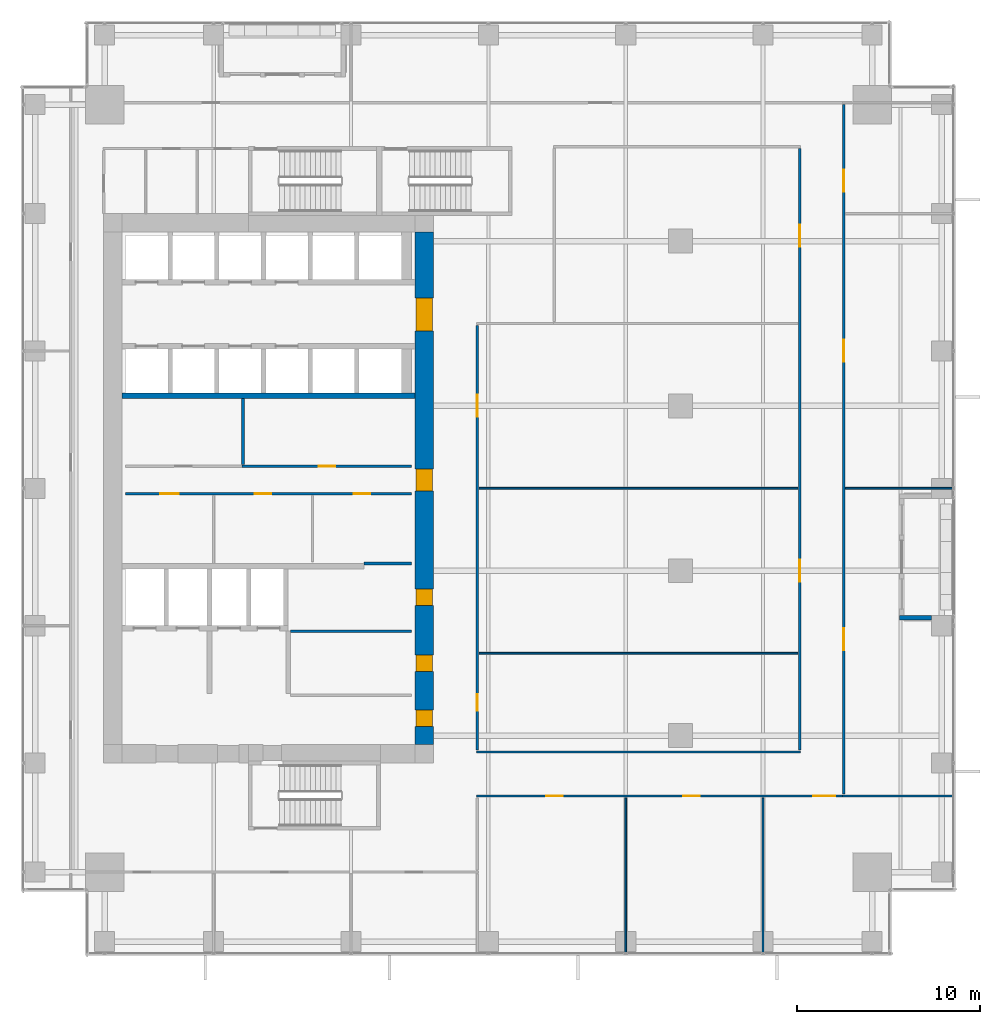
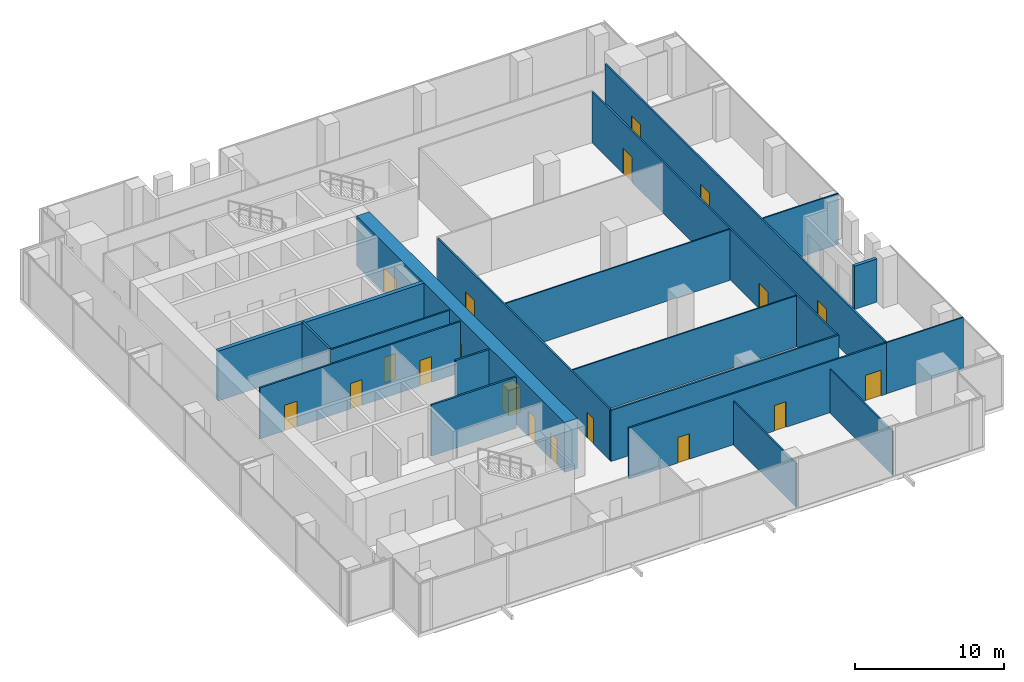
# One storey, part 29 of 34: 19 doors, 19 walls, 19 openings.
"""IFC4 building model written with IfcOpenShell, lengths in metres."""

from ifc_helpers import new_model, si_unit, direction, frame, frame_2d, origin, place, context, subcontext, project, spatial, rectangle, extrude, source, transform, mapped, material, layer, layer_set, type_object, element, fill, save


model = new_model("IFC4")

# Units and contexts
model_context = context("Model", 3, precision=1e-05, world=origin(), true_north=direction((0.0, 1.0)))
body_context = subcontext(model_context, "Body", "Model", "MODEL_VIEW")
ifc_project = project(units=[si_unit("LENGTHUNIT", "METRE"), si_unit("AREAUNIT", "SQUARE_METRE"), si_unit("VOLUMEUNIT", "CUBIC_METRE"), si_unit("PLANEANGLEUNIT", "RADIAN"), si_unit("MASSUNIT", "GRAM", prefix="KILO")], contexts=[model_context])

# Site, building, storey
site_placement = place(None, origin())
site = spatial("IfcSite", under=ifc_project, at=site_placement, CompositionType="ELEMENT")
building_placement = place(site_placement, origin())
building = spatial("IfcBuilding", under=site, at=building_placement, Name="Khomas Fold Tower", CompositionType="ELEMENT")
storey_placement = place(building_placement, frame((0.0, 0.0, 110.300048828125)))
storey = spatial("IfcBuildingStorey", under=building, at=storey_placement, Name="L23", CompositionType="ELEMENT", Elevation=110.300048828125)

# Wall, openings, doors
ifc_material_1 = material(Name="Concrete C70/85", Category="concrete")
ifc_layer_1 = layer(ifc_material_1, 1.0)
ifc_layer_set_1 = layer_set([ifc_layer_1], Name="Concrete C70/85")
wall_type_1 = type_object("IfcWallType", Name="Core wall 1000", PredefinedType="SHEAR", material=ifc_layer_set_1)
shared_shape_1 = source(origin(), body_context, "Body", "SweptSolid", [
    extrude(rectangle(XDim=28.0, YDim=1.0, at=frame_2d((14.0, 0.0))), origin(), (0.0, 0.0, 1.0), 4.099853515625),
])
wall_1_placement = place(storey_placement, frame((23.5, 13.0, 0.0), z_axis=(0.0, 0.0, 1.0), x_axis=(0.0, 1.0, 0.0)))
wall_1 = element("IfcWall", 1, at=wall_1_placement, inside=storey, type_object=wall_type_1, Name="Core wall CW-L-E-L21", PredefinedType="SHEAR", context=body_context, shape_type="MappedRepresentation", body=[
    mapped(shared_shape_1, transform((0.0, 0.0, 0.0))),
])
shared_shape_2 = source(origin(), body_context, "Body", "SweptSolid", [
    extrude(rectangle(XDim=1.800048828125, YDim=2.10009765625, at=frame_2d((0.89990234375, 1.050048828125))), frame((0.0, 0.510009765625, 0.0), z_axis=(0.0, -1.0, 0.0), x_axis=(1.0, 0.0, 0.0)), (0.0, 0.0, 1.0), 1.02001953125),
])
opening_1_placement = place(wall_1_placement, frame((22.60009765625, 0.0, 0.0)))
opening_1 = element("IfcOpeningElement", 2, at=opening_1_placement, cuts=wall_1, Name="Opening 0015", PredefinedType="OPENING", context=body_context, shape_type="MappedRepresentation", body=[
    mapped(shared_shape_2, transform((0.0, 0.0, 0.0))),
])
shared_shape_3 = source(origin(), body_context, "Body", "SweptSolid", [
    extrude(rectangle(XDim=1.199951171875, YDim=2.10009765625, at=frame_2d((0.60009765625, 1.050048828125))), frame((0.0, 0.510009765625, 0.0), z_axis=(0.0, -1.0, 0.0), x_axis=(1.0, 0.0, 0.0)), (0.0, 0.0, 1.0), 1.02001953125),
])
opening_2_placement = place(wall_1_placement, frame((13.85009765625, 0.0, 0.0)))
opening_2 = element("IfcOpeningElement", 3, at=opening_2_placement, cuts=wall_1, Name="Opening 0001", PredefinedType="OPENING", context=body_context, shape_type="MappedRepresentation", body=[
    mapped(shared_shape_3, transform((0.0, 0.0, 0.0))),
])
shared_shape_4 = source(origin(), body_context, "Body", "SweptSolid", [
    extrude(rectangle(XDim=0.89990234375, YDim=2.10009765625, at=frame_2d((0.449951171875, 1.050048828125))), frame((0.0, 0.510009765625, 0.0), z_axis=(0.0, -1.0, 0.0), x_axis=(1.0, 0.0, 0.0)), (0.0, 0.0, 1.0), 1.02001953125),
])
opening_3_placement = place(wall_1_placement, frame((1.0, 0.0, 0.0)))
opening_3 = element("IfcOpeningElement", 4, at=opening_3_placement, cuts=wall_1, Name="Opening 0008", PredefinedType="OPENING", context=body_context, shape_type="MappedRepresentation", body=[
    mapped(shared_shape_4, transform((0.0, 0.0, 0.0))),
])
opening_4_placement = place(wall_1_placement, frame((4.0, 0.0, 0.0)))
opening_4 = element("IfcOpeningElement", 5, at=opening_4_placement, cuts=wall_1, Name="Opening 0003", PredefinedType="OPENING", context=body_context, shape_type="MappedRepresentation", body=[
    mapped(shared_shape_4, transform((0.0, 0.0, 0.0))),
])
opening_5_placement = place(wall_1_placement, frame((7.60009765625, 0.0, 0.0)))
opening_5 = element("IfcOpeningElement", 6, at=opening_5_placement, cuts=wall_1, Name="Opening 0003", PredefinedType="OPENING", context=body_context, shape_type="MappedRepresentation", body=[
    mapped(shared_shape_4, transform((0.0, 0.0, 0.0))),
])
ifc_material_2 = material(Name="Steel door leaf", Category="steel")
door_type_1 = type_object("IfcDoorType", Name="Lobby door 1800x2100", OperationType="DOUBLE_DOOR_SINGLE_SWING", PredefinedType="DOOR", material=ifc_material_2)
shared_shape_5 = source(origin(), body_context, "Body", "SweptSolid", [
    extrude(rectangle(XDim=1.800048828125, YDim=2.10009765625, at=frame_2d((0.89990234375, 1.050048828125))), frame((0.0, 0.449951171875, 0.0), z_axis=(0.0, -1.0, 0.0), x_axis=(1.0, 0.0, 0.0)), (0.0, 0.0, 1.0), 0.89990234375),
])
door_1_placement = place(opening_1_placement, origin())
door_1 = element("IfcDoor", 7, at=door_1_placement, inside=storey, type_object=door_type_1, Name="Lobby door", OperationType="DOUBLE_DOOR_SINGLE_SWING", OverallHeight=2.10009765625, OverallWidth=1.800048828125, PredefinedType="DOOR", context=body_context, shape_type="MappedRepresentation", body=[
    mapped(shared_shape_5, transform((0.0, 0.0, 0.0))),
])
fill(opening_1, door_1)
ifc_material_3 = material(Name="Timber door leaf", Category="wood")
door_type_2 = type_object("IfcDoorType", Name="Door 1200x2100 right-hand", OperationType="SINGLE_SWING_RIGHT", PredefinedType="DOOR", material=ifc_material_3)
shared_shape_6 = source(origin(), body_context, "Body", "SweptSolid", [
    extrude(rectangle(XDim=1.199951171875, YDim=2.10009765625, at=frame_2d((0.60009765625, 1.050048828125))), frame((0.0, 0.449951171875, 0.0), z_axis=(0.0, -1.0, 0.0), x_axis=(1.0, 0.0, 0.0)), (0.0, 0.0, 1.0), 0.89990234375),
])
door_2_placement = place(opening_2_placement, origin())
door_2 = element("IfcDoor", 8, at=door_2_placement, inside=storey, type_object=door_type_2, Name="Door", OperationType="SINGLE_SWING_RIGHT", OverallHeight=2.10009765625, OverallWidth=1.199951171875, PredefinedType="DOOR", context=body_context, shape_type="MappedRepresentation", body=[
    mapped(shared_shape_6, transform((0.0, 0.0, 0.0))),
])
fill(opening_2, door_2)
ifc_material_4 = material(Name="Timber door leaf", Category="wood")
door_type_3 = type_object("IfcDoorType", Name="Door 900x2100 right-hand", OperationType="SINGLE_SWING_RIGHT", PredefinedType="DOOR", material=ifc_material_4)
shared_shape_7 = source(origin(), body_context, "Body", "SweptSolid", [
    extrude(rectangle(XDim=0.89990234375, YDim=2.10009765625, at=frame_2d((0.449951171875, 1.050048828125))), frame((0.0, 0.449951171875, 0.0), z_axis=(0.0, -1.0, 0.0), x_axis=(1.0, 0.0, 0.0)), (0.0, 0.0, 1.0), 0.89990234375),
])
door_3_placement = place(opening_3_placement, origin())
door_3 = element("IfcDoor", 9, at=door_3_placement, inside=storey, type_object=door_type_3, Name="Door", OperationType="SINGLE_SWING_RIGHT", OverallHeight=2.10009765625, OverallWidth=0.89990234375, PredefinedType="DOOR", context=body_context, shape_type="MappedRepresentation", body=[
    mapped(shared_shape_7, transform((0.0, 0.0, 0.0))),
])
fill(opening_3, door_3)
ifc_material_5 = material(Name="Steel door leaf", Category="steel")
door_type_4 = type_object("IfcDoorType", Name="Plant room door 900x2100 right-hand", OperationType="SINGLE_SWING_RIGHT", PredefinedType="DOOR", material=ifc_material_5)
door_4_placement = place(opening_4_placement, origin())
door_4 = element("IfcDoor", 10, at=door_4_placement, inside=storey, type_object=door_type_4, Name="Plant room door", OperationType="SINGLE_SWING_RIGHT", OverallHeight=2.10009765625, OverallWidth=0.89990234375, PredefinedType="DOOR", context=body_context, shape_type="MappedRepresentation", body=[
    mapped(shared_shape_7, transform((0.0, 0.0, 0.0))),
])
fill(opening_4, door_4)
door_5_placement = place(opening_5_placement, origin())
door_5 = element("IfcDoor", 11, at=door_5_placement, inside=storey, type_object=door_type_4, Name="Plant room door", OperationType="SINGLE_SWING_RIGHT", OverallHeight=2.10009765625, OverallWidth=0.89990234375, PredefinedType="DOOR", context=body_context, shape_type="MappedRepresentation", body=[
    mapped(shared_shape_7, transform((0.0, 0.0, 0.0))),
])
fill(opening_5, door_5)

# Walls
ifc_material_6 = material(Name="Concrete C50/60", Category="concrete")
ifc_layer_2 = layer(ifc_material_6, 0.300048828125)
ifc_layer_set_2 = layer_set([ifc_layer_2], Name="Concrete C50/60")
wall_type_2 = type_object("IfcWallType", Name="Shaft wall 300", PredefinedType="STANDARD", material=ifc_layer_set_2)
shared_shape_8 = source(origin(), body_context, "Body", "SweptSolid", [
    extrude(rectangle(XDim=16.0, YDim=0.300048828125, at=frame_2d((8.0, 0.0))), origin(), (0.0, 0.0, 1.0), 4.099853515625),
])
wall_2_placement = place(storey_placement, frame((7.0, 32.050048828125, 0.0), z_axis=(0.0, 0.0, 1.0), x_axis=(1.0, 0.0, 0.0)))
element("IfcWall", 12, at=wall_2_placement, inside=storey, type_object=wall_type_2, Name="Core wall SW-HRN-B", PredefinedType="STANDARD", context=body_context, shape_type="MappedRepresentation", body=[
    mapped(shared_shape_8, transform((0.0, 0.0, 0.0))),
])
ifc_material_7 = material(Name="Natural stone", Category="masonry")
ifc_layer_3 = layer(ifc_material_7, 0.0400390625)
ifc_material_8 = material(Name="Mineral wool insulation", Category="insulation")
ifc_layer_4 = layer(ifc_material_8, 0.10009765625)
ifc_material_9 = material(Name="Masonry", Category="masonry")
ifc_layer_5 = layer(ifc_material_9, 0.110107421875)
ifc_layer_set_3 = layer_set([ifc_layer_3, ifc_layer_4, ifc_layer_5], Name="Stone-faced insulated masonry")
wall_type_3 = type_object("IfcWallType", Name="BL-Balcony wall", PredefinedType="SOLIDWALL", material=ifc_layer_set_3)
shared_shape_9 = source(origin(), body_context, "Body", "SweptSolid", [
    extrude(rectangle(XDim=1.75, YDim=0.25, at=frame_2d((0.875, 0.0))), origin(), (0.0, 0.0, 1.0), 3.550048828125),
])
wall_3_placement = place(storey_placement, frame((51.199951171875, 19.925048828125, 0.0), z_axis=(0.0, 0.0, 1.0), x_axis=(-1.0, 0.0, 0.0)))
element("IfcWall", 13, at=wall_3_placement, inside=storey, type_object=wall_type_3, Name="Balcony return wall BAL-L23-E2-lo", PredefinedType="SOLIDWALL", context=body_context, shape_type="MappedRepresentation", body=[
    mapped(shared_shape_9, transform((0.0, 0.0, 0.0))),
])

# Wall, openings, doors
ifc_material_10 = material(Name="Plasterboard partition")
ifc_layer_6 = layer(ifc_material_10, 0.125)
ifc_layer_set_4 = layer_set([ifc_layer_6], Name="Plasterboard partition")
wall_type_4 = type_object("IfcWallType", Name="Partition PW2 125", PredefinedType="PARTITIONING", material=ifc_layer_set_4)
shared_shape_10 = source(origin(), body_context, "Body", "SweptSolid", [
    extrude(rectangle(XDim=15.60009765625, YDim=0.125, at=frame_2d((7.800048828125, 0.0))), origin(), (0.0, 0.0, 1.0), 4.199951171875),
])
wall_4_placement = place(storey_placement, frame((7.199951171875, 26.699951171875, 0.0), z_axis=(0.0, 0.0, 1.0), x_axis=(1.0, 0.0, 0.0)))
wall_4 = element("IfcWall", 14, at=wall_4_placement, inside=storey, type_object=wall_type_4, Name="Partition", PredefinedType="PARTITIONING", context=body_context, shape_type="MappedRepresentation", body=[
    mapped(shared_shape_10, transform((0.0, 0.0, 0.0))),
])
shared_shape_11 = source(origin(), body_context, "Body", "SweptSolid", [
    extrude(rectangle(XDim=1.0, YDim=2.10009765625, at=frame_2d((0.5, 1.050048828125))), frame((0.0, 0.072509765625, 0.0), z_axis=(0.0, -1.0, 0.0), x_axis=(1.0, 0.0, 0.0)), (0.0, 0.0, 1.0), 0.14501953125),
])
opening_6_placement = place(wall_4_placement, frame((1.89990234375, 0.0, 0.0)))
opening_6 = element("IfcOpeningElement", 15, at=opening_6_placement, cuts=wall_4, Name="Opening 0014", PredefinedType="OPENING", context=body_context, shape_type="MappedRepresentation", body=[
    mapped(shared_shape_11, transform((0.0, 0.0, 0.0))),
])
shared_shape_12 = source(origin(), body_context, "Body", "SweptSolid", [
    extrude(rectangle(XDim=0.89990234375, YDim=2.10009765625, at=frame_2d((0.449951171875, 1.050048828125))), frame((0.0, 0.072509765625, 0.0), z_axis=(0.0, -1.0, 0.0), x_axis=(1.0, 0.0, 0.0)), (0.0, 0.0, 1.0), 0.14501953125),
])
opening_7_placement = place(wall_4_placement, frame((7.050048828125, 0.0, 0.0)))
opening_7 = element("IfcOpeningElement", 16, at=opening_7_placement, cuts=wall_4, Name="Opening 0004", PredefinedType="OPENING", context=body_context, shape_type="MappedRepresentation", body=[
    mapped(shared_shape_12, transform((0.0, 0.0, 0.0))),
])
opening_8_placement = place(wall_4_placement, frame((12.449951171875, 0.0, 0.0)))
opening_8 = element("IfcOpeningElement", 17, at=opening_8_placement, cuts=wall_4, Name="Opening 0005", PredefinedType="OPENING", context=body_context, shape_type="MappedRepresentation", body=[
    mapped(shared_shape_12, transform((0.0, 0.0, 0.0))),
])
ifc_material_11 = material(Name="Timber door leaf", Category="wood")
door_type_5 = type_object("IfcDoorType", Name="WC door 900x2100 right-hand", OperationType="SINGLE_SWING_RIGHT", PredefinedType="DOOR", material=ifc_material_11)
shared_shape_13 = source(origin(), body_context, "Body", "SweptSolid", [
    extrude(rectangle(XDim=0.89990234375, YDim=2.10009765625, at=frame_2d((0.449951171875, 1.050048828125))), frame((0.0, 0.02490234375, 0.0), z_axis=(0.0, -1.0, 0.0), x_axis=(1.0, 0.0, 0.0)), (0.0, 0.0, 1.0), 0.050048828125),
])
door_6_placement = place(opening_7_placement, origin())
door_6 = element("IfcDoor", 18, at=door_6_placement, inside=storey, type_object=door_type_5, Name="WC door", OperationType="SINGLE_SWING_RIGHT", OverallHeight=2.10009765625, OverallWidth=0.89990234375, PredefinedType="DOOR", context=body_context, shape_type="MappedRepresentation", body=[
    mapped(shared_shape_13, transform((0.0, 0.0, 0.0))),
])
fill(opening_7, door_6)
ifc_material_12 = material(Name="Timber door leaf", Category="wood")
door_type_6 = type_object("IfcDoorType", Name="WC door 900x2100 left-hand", OperationType="SINGLE_SWING_LEFT", PredefinedType="DOOR", material=ifc_material_12)
door_7_placement = place(opening_8_placement, origin())
door_7 = element("IfcDoor", 19, at=door_7_placement, inside=storey, type_object=door_type_6, Name="WC door", OperationType="SINGLE_SWING_LEFT", OverallHeight=2.10009765625, OverallWidth=0.89990234375, PredefinedType="DOOR", context=body_context, shape_type="MappedRepresentation", body=[
    mapped(shared_shape_13, transform((0.0, 0.0, 0.0))),
])
fill(opening_8, door_7)
ifc_material_13 = material(Name="Timber door leaf", Category="wood")
door_type_7 = type_object("IfcDoorType", Name="WC door 1000x2100 left-hand", OperationType="SINGLE_SWING_LEFT", PredefinedType="DOOR", material=ifc_material_13)
shared_shape_14 = source(origin(), body_context, "Body", "SweptSolid", [
    extrude(rectangle(XDim=1.0, YDim=2.10009765625, at=frame_2d((0.5, 1.050048828125))), frame((0.0, 0.02490234375, 0.0), z_axis=(0.0, -1.0, 0.0), x_axis=(1.0, 0.0, 0.0)), (0.0, 0.0, 1.0), 0.050048828125),
])
door_8_placement = place(opening_6_placement, origin())
door_8 = element("IfcDoor", 20, at=door_8_placement, inside=storey, type_object=door_type_7, Name="WC door", OperationType="SINGLE_SWING_LEFT", OverallHeight=2.10009765625, OverallWidth=1.0, PredefinedType="DOOR", context=body_context, shape_type="MappedRepresentation", body=[
    mapped(shared_shape_14, transform((0.0, 0.0, 0.0))),
])
fill(opening_6, door_8)

shared_shape_15 = source(origin(), body_context, "Body", "SweptSolid", [
    extrude(rectangle(XDim=20.0, YDim=0.125, at=frame_2d((10.0, 0.0))), origin(), (0.0, 0.0, 1.0), 4.199951171875),
])
wall_5_placement = place(storey_placement, frame((26.35009765625, 10.199951171875, 0.0), z_axis=(0.0, 0.0, 1.0), x_axis=(1.0, 0.0, 0.0)))
wall_5 = element("IfcWall", 21, at=wall_5_placement, inside=storey, type_object=wall_type_4, Name="Partition", PredefinedType="PARTITIONING", context=body_context, shape_type="MappedRepresentation", body=[
    mapped(shared_shape_15, transform((0.0, 0.0, 0.0))),
])
opening_9_placement = place(wall_5_placement, frame((3.800048828125, 0.0, 0.0)))
opening_9 = element("IfcOpeningElement", 22, at=opening_9_placement, cuts=wall_5, Name="Opening 0008", PredefinedType="OPENING", context=body_context, shape_type="MappedRepresentation", body=[
    mapped(shared_shape_12, transform((0.0, 0.0, 0.0))),
])
opening_10_placement = place(wall_5_placement, frame((11.300048828125, 0.0, 0.0)))
opening_10 = element("IfcOpeningElement", 23, at=opening_10_placement, cuts=wall_5, Name="Opening 0007", PredefinedType="OPENING", context=body_context, shape_type="MappedRepresentation", body=[
    mapped(shared_shape_12, transform((0.0, 0.0, 0.0))),
])
shared_shape_16 = source(origin(), body_context, "Body", "SweptSolid", [
    extrude(rectangle(XDim=1.199951171875, YDim=2.10009765625, at=frame_2d((0.60009765625, 1.050048828125))), frame((0.0, 0.072509765625, 0.0), z_axis=(0.0, -1.0, 0.0), x_axis=(1.0, 0.0, 0.0)), (0.0, 0.0, 1.0), 0.14501953125),
])
opening_11_placement = place(wall_5_placement, frame((18.39990234375, 0.0, 0.0)))
opening_11 = element("IfcOpeningElement", 24, at=opening_11_placement, cuts=wall_5, Name="Opening 0001", PredefinedType="OPENING", context=body_context, shape_type="MappedRepresentation", body=[
    mapped(shared_shape_16, transform((0.0, 0.0, 0.0))),
])
door_9_placement = place(opening_9_placement, origin())
door_9 = element("IfcDoor", 25, at=door_9_placement, inside=storey, type_object=door_type_3, Name="Door", OperationType="SINGLE_SWING_RIGHT", OverallHeight=2.10009765625, OverallWidth=0.89990234375, PredefinedType="DOOR", context=body_context, shape_type="MappedRepresentation", body=[
    mapped(shared_shape_13, transform((0.0, 0.0, 0.0))),
])
fill(opening_9, door_9)
ifc_material_14 = material(Name="Timber door leaf", Category="wood")
door_type_8 = type_object("IfcDoorType", Name="Door 900x2100 left-hand", OperationType="SINGLE_SWING_LEFT", PredefinedType="DOOR", material=ifc_material_14)
door_10_placement = place(opening_10_placement, origin())
door_10 = element("IfcDoor", 26, at=door_10_placement, inside=storey, type_object=door_type_8, Name="Door", OperationType="SINGLE_SWING_LEFT", OverallHeight=2.10009765625, OverallWidth=0.89990234375, PredefinedType="DOOR", context=body_context, shape_type="MappedRepresentation", body=[
    mapped(shared_shape_13, transform((0.0, 0.0, 0.0))),
])
fill(opening_10, door_10)
shared_shape_17 = source(origin(), body_context, "Body", "SweptSolid", [
    extrude(rectangle(XDim=1.199951171875, YDim=2.10009765625, at=frame_2d((0.60009765625, 1.050048828125))), frame((0.0, 0.02490234375, 0.0), z_axis=(0.0, -1.0, 0.0), x_axis=(1.0, 0.0, 0.0)), (0.0, 0.0, 1.0), 0.050048828125),
])
door_11_placement = place(opening_11_placement, origin())
door_11 = element("IfcDoor", 27, at=door_11_placement, inside=storey, type_object=door_type_2, Name="Door", OperationType="SINGLE_SWING_RIGHT", OverallHeight=2.10009765625, OverallWidth=1.199951171875, PredefinedType="DOOR", context=body_context, shape_type="MappedRepresentation", body=[
    mapped(shared_shape_17, transform((0.0, 0.0, 0.0))),
])
fill(opening_11, door_11)

# Wall
ifc_material_15 = material(Name="Plasterboard partition")
ifc_layer_7 = layer(ifc_material_15, 0.10009765625)
ifc_layer_set_5 = layer_set([ifc_layer_7], Name="Plasterboard partition")
wall_type_5 = type_object("IfcWallType", Name="Partition PW1 100", PredefinedType="PARTITIONING", material=ifc_layer_set_5)
shared_shape_18 = source(origin(), body_context, "Body", "SweptSolid", [
    extrude(rectangle(XDim=6.0, YDim=0.10009765625, at=frame_2d((3.0, 0.0))), origin(), (0.0, 0.0, 1.0), 4.199951171875),
])
wall_6_placement = place(storey_placement, frame((46.35009765625, 10.199951171875, 0.0), z_axis=(0.0, 0.0, 1.0), x_axis=(1.0, 0.0, 0.0)))
element("IfcWall", 28, at=wall_6_placement, inside=storey, type_object=wall_type_5, Name="Partition", PredefinedType="PARTITIONING", context=body_context, shape_type="MappedRepresentation", body=[
    mapped(shared_shape_18, transform((0.0, 0.0, 0.0))),
])

# Wall, openings, doors
shared_shape_19 = source(origin(), body_context, "Body", "SweptSolid", [
    extrude(rectangle(XDim=37.64990234375, YDim=0.125, at=frame_2d((18.824951171875, 0.0))), origin(), (0.0, 0.0, 1.0), 4.199951171875),
])
wall_7_placement = place(storey_placement, frame((46.39990234375, 10.300048828125, 0.0), z_axis=(0.0, 0.0, 1.0), x_axis=(0.0, 1.0, 0.0)))
wall_7 = element("IfcWall", 29, at=wall_7_placement, inside=storey, type_object=wall_type_4, Name="Partition", PredefinedType="PARTITIONING", context=body_context, shape_type="MappedRepresentation", body=[
    mapped(shared_shape_19, transform((0.0, 0.0, 0.0))),
])
opening_12_placement = place(wall_7_placement, frame((7.85009765625, 0.0, 0.0)))
opening_12 = element("IfcOpeningElement", 30, at=opening_12_placement, cuts=wall_7, Name="Opening 0001", PredefinedType="OPENING", context=body_context, shape_type="MappedRepresentation", body=[
    mapped(shared_shape_16, transform((0.0, 0.0, 0.0))),
])
opening_13_placement = place(wall_7_placement, frame((23.60009765625, 0.0, 0.0)))
opening_13 = element("IfcOpeningElement", 31, at=opening_13_placement, cuts=wall_7, Name="Opening 0001", PredefinedType="OPENING", context=body_context, shape_type="MappedRepresentation", body=[
    mapped(shared_shape_16, transform((0.0, 0.0, 0.0))),
])
opening_14_placement = place(wall_7_placement, frame((32.89990234375, 0.0, 0.0)))
opening_14 = element("IfcOpeningElement", 32, at=opening_14_placement, cuts=wall_7, Name="Opening 0013", PredefinedType="OPENING", context=body_context, shape_type="MappedRepresentation", body=[
    mapped(shared_shape_16, transform((0.0, 0.0, 0.0))),
])
door_12_placement = place(opening_12_placement, origin())
door_12 = element("IfcDoor", 33, at=door_12_placement, inside=storey, type_object=door_type_2, Name="Door", OperationType="SINGLE_SWING_RIGHT", OverallHeight=2.10009765625, OverallWidth=1.199951171875, PredefinedType="DOOR", context=body_context, shape_type="MappedRepresentation", body=[
    mapped(shared_shape_17, transform((0.0, 0.0, 0.0))),
])
fill(opening_12, door_12)
door_13_placement = place(opening_13_placement, origin())
door_13 = element("IfcDoor", 34, at=door_13_placement, inside=storey, type_object=door_type_2, Name="Door", OperationType="SINGLE_SWING_RIGHT", OverallHeight=2.10009765625, OverallWidth=1.199951171875, PredefinedType="DOOR", context=body_context, shape_type="MappedRepresentation", body=[
    mapped(shared_shape_17, transform((0.0, 0.0, 0.0))),
])
fill(opening_13, door_13)
ifc_material_16 = material(Name="Timber door leaf", Category="wood")
door_type_9 = type_object("IfcDoorType", Name="Door 1200x2100 left-hand", OperationType="SINGLE_SWING_LEFT", PredefinedType="DOOR", material=ifc_material_16)
door_14_placement = place(opening_14_placement, origin())
door_14 = element("IfcDoor", 35, at=door_14_placement, inside=storey, type_object=door_type_9, Name="Door", OperationType="SINGLE_SWING_LEFT", OverallHeight=2.10009765625, OverallWidth=1.199951171875, PredefinedType="DOOR", context=body_context, shape_type="MappedRepresentation", body=[
    mapped(shared_shape_17, transform((0.0, 0.0, 0.0))),
])
fill(opening_14, door_14)

# Wall
shared_shape_20 = source(origin(), body_context, "Body", "SweptSolid", [
    extrude(rectangle(XDim=17.699951171875, YDim=0.125, at=frame_2d((8.85009765625, 0.0))), origin(), (0.0, 0.0, 1.0), 4.199951171875),
])
wall_8_placement = place(storey_placement, frame((26.35009765625, 12.60009765625, 0.0), z_axis=(0.0, 0.0, 1.0), x_axis=(1.0, 0.0, 0.0)))
element("IfcWall", 36, at=wall_8_placement, inside=storey, type_object=wall_type_4, Name="Partition", PredefinedType="PARTITIONING", context=body_context, shape_type="MappedRepresentation", body=[
    mapped(shared_shape_20, transform((0.0, 0.0, 0.0))),
])

# Wall, openings, doors
shared_shape_21 = source(origin(), body_context, "Body", "SweptSolid", [
    extrude(rectangle(XDim=23.199951171875, YDim=0.125, at=frame_2d((11.60009765625, 0.0))), origin(), (0.0, 0.0, 1.0), 4.199951171875),
])
wall_9_placement = place(storey_placement, frame((26.39990234375, 12.699951171875, 0.0), z_axis=(0.0, 0.0, 1.0), x_axis=(0.0, 1.0, 0.0)))
wall_9 = element("IfcWall", 37, at=wall_9_placement, inside=storey, type_object=wall_type_4, Name="Partition", PredefinedType="PARTITIONING", context=body_context, shape_type="MappedRepresentation", body=[
    mapped(shared_shape_21, transform((0.0, 0.0, 0.0))),
])
opening_15_placement = place(wall_9_placement, frame((2.14990234375, 0.0, 0.0)))
opening_15 = element("IfcOpeningElement", 38, at=opening_15_placement, cuts=wall_9, Name="Opening 0007", PredefinedType="OPENING", context=body_context, shape_type="MappedRepresentation", body=[
    mapped(shared_shape_12, transform((0.0, 0.0, 0.0))),
])
opening_16_placement = place(wall_9_placement, frame((18.199951171875, 0.0, 0.0)))
opening_16 = element("IfcOpeningElement", 39, at=opening_16_placement, cuts=wall_9, Name="Opening 0001", PredefinedType="OPENING", context=body_context, shape_type="MappedRepresentation", body=[
    mapped(shared_shape_16, transform((0.0, 0.0, 0.0))),
])
door_15_placement = place(opening_15_placement, origin())
door_15 = element("IfcDoor", 40, at=door_15_placement, inside=storey, type_object=door_type_8, Name="Door", OperationType="SINGLE_SWING_LEFT", OverallHeight=2.10009765625, OverallWidth=0.89990234375, PredefinedType="DOOR", context=body_context, shape_type="MappedRepresentation", body=[
    mapped(shared_shape_13, transform((0.0, 0.0, 0.0))),
])
fill(opening_15, door_15)
door_16_placement = place(opening_16_placement, origin())
door_16 = element("IfcDoor", 41, at=door_16_placement, inside=storey, type_object=door_type_2, Name="Door", OperationType="SINGLE_SWING_RIGHT", OverallHeight=2.10009765625, OverallWidth=1.199951171875, PredefinedType="DOOR", context=body_context, shape_type="MappedRepresentation", body=[
    mapped(shared_shape_17, transform((0.0, 0.0, 0.0))),
])
fill(opening_16, door_16)

shared_shape_22 = source(origin(), body_context, "Body", "SweptSolid", [
    extrude(rectangle(XDim=32.85009765625, YDim=0.125, at=frame_2d((16.425048828125, 0.0))), origin(), (0.0, 0.0, 1.0), 4.199951171875),
])
wall_10_placement = place(storey_placement, frame((44.0, 12.699951171875, 0.0), z_axis=(0.0, 0.0, 1.0), x_axis=(0.0, 1.0, 0.0)))
wall_10 = element("IfcWall", 42, at=wall_10_placement, inside=storey, type_object=wall_type_4, Name="Partition", PredefinedType="PARTITIONING", context=body_context, shape_type="MappedRepresentation", body=[
    mapped(shared_shape_22, transform((0.0, 0.0, 0.0))),
])
opening_17_placement = place(wall_10_placement, frame((9.199951171875, 0.0, 0.0)))
opening_17 = element("IfcOpeningElement", 43, at=opening_17_placement, cuts=wall_10, Name="Opening 0013", PredefinedType="OPENING", context=body_context, shape_type="MappedRepresentation", body=[
    mapped(shared_shape_16, transform((0.0, 0.0, 0.0))),
])
opening_18_placement = place(wall_10_placement, frame((27.5, 0.0, 0.0)))
opening_18 = element("IfcOpeningElement", 44, at=opening_18_placement, cuts=wall_10, Name="Opening 0013", PredefinedType="OPENING", context=body_context, shape_type="MappedRepresentation", body=[
    mapped(shared_shape_16, transform((0.0, 0.0, 0.0))),
])
door_17_placement = place(opening_17_placement, origin())
door_17 = element("IfcDoor", 45, at=door_17_placement, inside=storey, type_object=door_type_9, Name="Door", OperationType="SINGLE_SWING_LEFT", OverallHeight=2.10009765625, OverallWidth=1.199951171875, PredefinedType="DOOR", context=body_context, shape_type="MappedRepresentation", body=[
    mapped(shared_shape_17, transform((0.0, 0.0, 0.0))),
])
fill(opening_17, door_17)
door_18_placement = place(opening_18_placement, origin())
door_18 = element("IfcDoor", 46, at=door_18_placement, inside=storey, type_object=door_type_9, Name="Door", OperationType="SINGLE_SWING_LEFT", OverallHeight=2.10009765625, OverallWidth=1.199951171875, PredefinedType="DOOR", context=body_context, shape_type="MappedRepresentation", body=[
    mapped(shared_shape_17, transform((0.0, 0.0, 0.0))),
])
fill(opening_18, door_18)

# Walls
ifc_material_17 = material(Name="Plasterboard fire partition")
ifc_layer_8 = layer(ifc_material_17, 0.14990234375)
ifc_layer_set_6 = layer_set([ifc_layer_8], Name="Plasterboard fire partition")
wall_type_6 = type_object("IfcWallType", Name="Plant room wall PW3 150", PredefinedType="PARTITIONING", material=ifc_layer_set_6)
shared_shape_23 = source(origin(), body_context, "Body", "SweptSolid", [
    extrude(rectangle(XDim=6.60009765625, YDim=0.14990234375, at=frame_2d((3.300048828125, 0.0))), origin(), (0.0, 0.0, 1.0), 4.199951171875),
])
wall_11_placement = place(storey_placement, frame((16.199951171875, 19.199951171875, 0.0), z_axis=(0.0, 0.0, 1.0), x_axis=(1.0, 0.0, 0.0)))
element("IfcWall", 47, at=wall_11_placement, inside=storey, type_object=wall_type_6, Name="Plant room wall", PredefinedType="PARTITIONING", context=body_context, shape_type="MappedRepresentation", body=[
    mapped(shared_shape_23, transform((0.0, 0.0, 0.0))),
])
shared_shape_24 = source(origin(), body_context, "Body", "SweptSolid", [
    extrude(rectangle(XDim=17.39990234375, YDim=0.10009765625, at=frame_2d((8.699951171875, 0.0))), origin(), (0.0, 0.0, 1.0), 4.199951171875),
])
for number, where, z_axis, x_axis, name in (
    (48, (26.5, 18.0, 0.0), (0.0, 0.0, 1.0), (1.0, 0.0, 0.0), "Partition"),
    (49, (26.5, 27.0, 0.0), (0.0, 0.0, 1.0), (1.0, 0.0, 0.0), "Partition"),
):
    element("IfcWall", number, at=place(storey_placement, frame(where, z_axis=z_axis, x_axis=x_axis)), inside=storey, type_object=wall_type_5, Name=name, PredefinedType="PARTITIONING", context=body_context, shape_type="MappedRepresentation", body=[
        mapped(shared_shape_24, transform((0.0, 0.0, 0.0))),
    ])
shared_shape_25 = source(origin(), body_context, "Body", "SweptSolid", [
    extrude(rectangle(XDim=2.60009765625, YDim=0.14990234375, at=frame_2d((1.300048828125, 0.0))), origin(), (0.0, 0.0, 1.0), 4.199951171875),
])
wall_12_placement = place(storey_placement, frame((20.199951171875, 22.89990234375, 0.0), z_axis=(0.0, 0.0, 1.0), x_axis=(1.0, 0.0, 0.0)))
element("IfcWall", 50, at=wall_12_placement, inside=storey, type_object=wall_type_6, Name="Plant room wall", PredefinedType="PARTITIONING", context=body_context, shape_type="MappedRepresentation", body=[
    mapped(shared_shape_25, transform((0.0, 0.0, 0.0))),
])
shared_shape_26 = source(origin(), body_context, "Body", "SweptSolid", [
    extrude(rectangle(XDim=5.85009765625, YDim=0.10009765625, at=frame_2d((2.925048828125, 0.0))), origin(), (0.0, 0.0, 1.0), 4.199951171875),
])
wall_13_placement = place(storey_placement, frame((46.5, 27.0, 0.0), z_axis=(0.0, 0.0, 1.0), x_axis=(1.0, 0.0, 0.0)))
element("IfcWall", 51, at=wall_13_placement, inside=storey, type_object=wall_type_5, Name="Partition", PredefinedType="PARTITIONING", context=body_context, shape_type="MappedRepresentation", body=[
    mapped(shared_shape_26, transform((0.0, 0.0, 0.0))),
])

# Wall, opening, door
shared_shape_27 = source(origin(), body_context, "Body", "SweptSolid", [
    extrude(rectangle(XDim=9.25, YDim=0.125, at=frame_2d((4.625, 0.0))), origin(), (0.0, 0.0, 1.0), 4.199951171875),
])
wall_14_placement = place(storey_placement, frame((13.550048828125, 28.199951171875, 0.0), z_axis=(0.0, 0.0, 1.0), x_axis=(1.0, 0.0, 0.0)))
wall_14 = element("IfcWall", 52, at=wall_14_placement, inside=storey, type_object=wall_type_4, Name="Partition", PredefinedType="PARTITIONING", context=body_context, shape_type="MappedRepresentation", body=[
    mapped(shared_shape_27, transform((0.0, 0.0, 0.0))),
])
opening_19_placement = place(wall_14_placement, frame((4.199951171875, 0.0, 0.0)))
opening_19 = element("IfcOpeningElement", 53, at=opening_19_placement, cuts=wall_14, Name="Opening 0007", PredefinedType="OPENING", context=body_context, shape_type="MappedRepresentation", body=[
    mapped(shared_shape_12, transform((0.0, 0.0, 0.0))),
])
door_19_placement = place(opening_19_placement, origin())
door_19 = element("IfcDoor", 54, at=door_19_placement, inside=storey, type_object=door_type_8, Name="Door", OperationType="SINGLE_SWING_LEFT", OverallHeight=2.10009765625, OverallWidth=0.89990234375, PredefinedType="DOOR", context=body_context, shape_type="MappedRepresentation", body=[
    mapped(shared_shape_13, transform((0.0, 0.0, 0.0))),
])
fill(opening_19, door_19)

# Walls
shared_shape_28 = source(origin(), body_context, "Body", "SweptSolid", [
    extrude(rectangle(XDim=3.599853515625, YDim=0.14990234375, at=frame_2d((1.7998046875, 0.0))), origin(), (0.0, 0.0, 1.0), 4.199951171875),
])
wall_15_placement = place(storey_placement, frame((13.60009765625, 28.300048828125, 0.0), z_axis=(0.0, 0.0, 1.0), x_axis=(0.0, 1.0, 0.0)))
element("IfcWall", 55, at=wall_15_placement, inside=storey, type_object=wall_type_6, Name="Plant room wall", PredefinedType="PARTITIONING", context=body_context, shape_type="MappedRepresentation", body=[
    mapped(shared_shape_28, transform((0.0, 0.0, 0.0))),
])
shared_shape_29 = source(origin(), body_context, "Body", "SweptSolid", [
    extrude(rectangle(XDim=8.4501953125, YDim=0.10009765625, at=frame_2d((4.22509765625, 0.0))), origin(), (0.0, 0.0, 1.0), 3.599853515625),
])
for number, where, z_axis, x_axis, name in (
    (56, (34.5, 1.64990234375, 0.0), (0.0, 0.0, 1.0), (0.0, 1.0, 0.0), "Partition"),
    (57, (42.0, 1.64990234375, 0.0), (0.0, 0.0, 1.0), (0.0, 1.0, 0.0), "Partition"),
):
    element("IfcWall", number, at=place(storey_placement, frame(where, z_axis=z_axis, x_axis=x_axis)), inside=storey, type_object=wall_type_5, Name=name, PredefinedType="PARTITIONING", context=body_context, shape_type="MappedRepresentation", body=[
        mapped(shared_shape_29, transform((0.0, 0.0, 0.0))),
    ])

save(model, "model.ifc")
